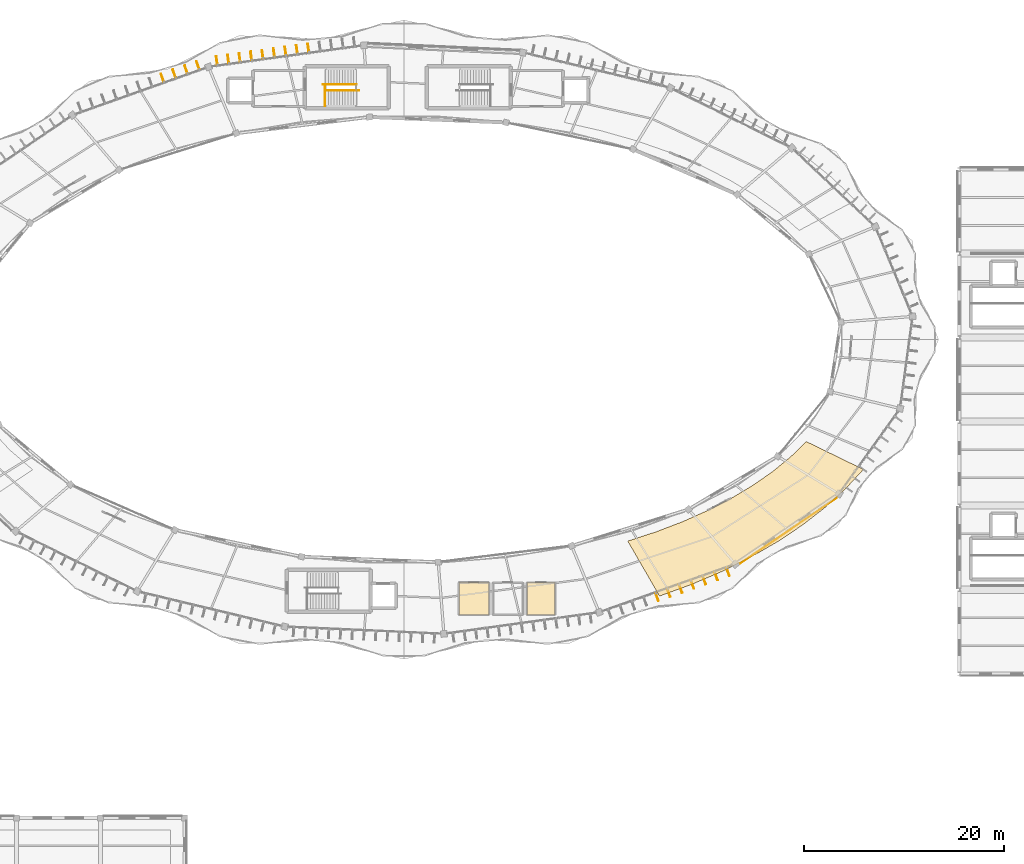
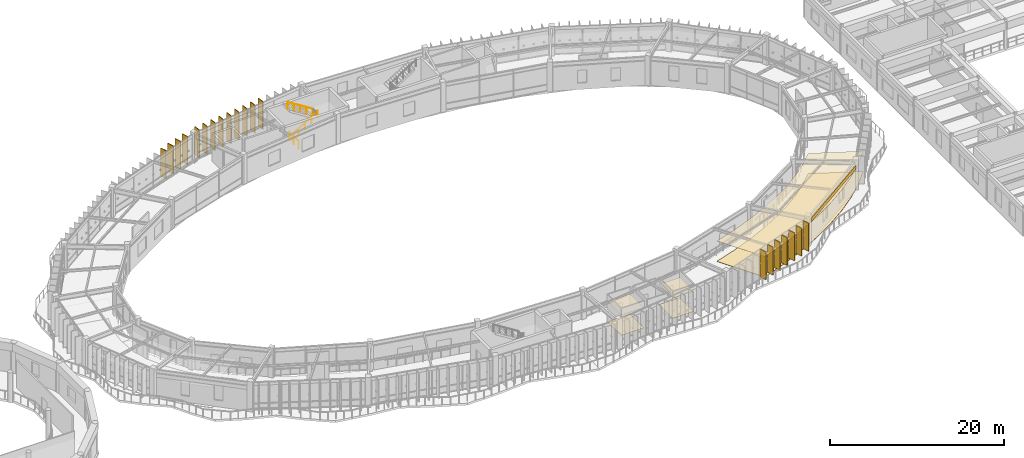
# One storey, part 111 of 114: 20 shading devices, 7 coverings, 3 railings.
"""IFC4 building model written with IfcOpenShell, lengths in metres."""

from ifc_helpers import new_model, si_unit, direction, frame, origin, origin_2d, place, context, subcontext, project, spatial, polyline, rectangle, circle, outline, extrude, material, layer, layer_set, type_object, element, save


model = new_model("IFC4")

# Units and contexts
model_context = context("Model", 3, precision=1e-05, world=origin(), true_north=direction((0.0, 1.0)))
body_context = subcontext(model_context, "Body", "Model", "MODEL_VIEW")
ifc_project = project(units=[si_unit("LENGTHUNIT", "METRE"), si_unit("AREAUNIT", "SQUARE_METRE"), si_unit("VOLUMEUNIT", "CUBIC_METRE"), si_unit("PLANEANGLEUNIT", "RADIAN"), si_unit("MASSUNIT", "GRAM", prefix="KILO"), si_unit("THERMODYNAMICTEMPERATUREUNIT", "KELVIN"), si_unit("POWERUNIT", "WATT")], contexts=[model_context])

# Site, building, storey
site_placement = place(None, origin())
site = spatial("IfcSite", under=ifc_project, at=site_placement, CompositionType="ELEMENT")
building_placement = place(site_placement, origin())
building = spatial("IfcBuilding", under=site, at=building_placement, Name="Darbajah Civic Hall", CompositionType="ELEMENT")
storey_placement = place(building_placement, frame((0.0, 0.0, 13.800048828125)))
storey = spatial("IfcBuildingStorey", under=building, at=storey_placement, Name="L03", CompositionType="ELEMENT", Elevation=13.800048828125)

# Railings
ifc_material_1 = material(Name="Brushed Bronze Stainless Steel", Category="steel")
railing_type_1 = type_object("IfcRailingType", Name="Brushed Bronze Handrail", PredefinedType="HANDRAIL", material=ifc_material_1)
railing_1_placement = place(storey_placement, frame((81.280029296875, 114.699951171875, 0.175048828125)))
element("IfcRailing", 1, at=railing_1_placement, inside=storey, type_object=railing_type_1, Name="ST01 L03 lower flight handrail", PredefinedType="HANDRAIL", context=body_context, shape_type="SweptSolid", body=[
    extrude(circle(Radius=0.02392578125, at=origin_2d()), frame((0.023193359375, 0.0, 0.910400390625), z_axis=(0.845954538342, 0.0, 0.533255022534), x_axis=(0.0, 1.0, 0.0)), (0.0, 0.0, 1.0), 3.9169921875),
    extrude(circle(Radius=0.02099609375, at=origin_2d()), origin(), (0.0, 0.0, 1.0), 0.867919921875),
    extrude(circle(Radius=0.02099609375, at=origin_2d()), frame((0.83984375, 0.0, 0.529541015625)), (0.0, 0.0, 1.0), 0.867919921875),
    extrude(circle(Radius=0.02099609375, at=origin_2d()), frame((1.679931640625, 0.0, 1.05908203125)), (0.0, 0.0, 1.0), 0.867919921875),
    extrude(circle(Radius=0.02099609375, at=origin_2d()), frame((2.52001953125, 0.0, 1.58837890625)), (0.0, 0.0, 1.0), 0.867919921875),
    extrude(circle(Radius=0.02099609375, at=origin_2d()), frame((3.35986328125, 0.0, 2.117919921875)), (0.0, 0.0, 1.0), 0.867919921875),
])
railing_2_placement = place(storey_placement, frame((84.360107421875, 115.300048828125, 2.27490234375)))
element("IfcRailing", 2, at=railing_2_placement, inside=storey, type_object=railing_type_1, Name="ST01 L03 upper flight handrail", PredefinedType="HANDRAIL", context=body_context, shape_type="SweptSolid", body=[
    extrude(circle(Radius=0.02392578125, at=origin_2d()), frame((-0.023193359375, 0.0, 0.910400390625), z_axis=(-0.845944288966, 0.0, 0.533271281775), x_axis=(0.0, -1.0, 0.0)), (0.0, 0.0, 1.0), 3.91748046875),
    extrude(circle(Radius=0.02099609375, at=origin_2d()), origin(), (0.0, 0.0, 1.0), 0.867919921875),
    extrude(circle(Radius=0.02099609375, at=origin_2d()), frame((-0.840087890625, 0.0, 0.529541015625)), (0.0, 0.0, 1.0), 0.867919921875),
    extrude(circle(Radius=0.02099609375, at=origin_2d()), frame((-1.68017578125, 0.0, 1.05908203125)), (0.0, 0.0, 1.0), 0.867919921875),
    extrude(circle(Radius=0.02099609375, at=origin_2d()), frame((-2.52001953125, 0.0, 1.588623046875)), (0.0, 0.0, 1.0), 0.867919921875),
    extrude(circle(Radius=0.02099609375, at=origin_2d()), frame((-3.360107421875, 0.0, 2.1181640625)), (0.0, 0.0, 1.0), 0.867919921875),
])

# Coverings
ifc_material_2 = material(Name="Honed Qatari Limestone Terrazzo", Category="masonry")
ifc_layer_1 = layer(ifc_material_2, 0.030029296875, Name="Honed Qatari Limestone Terrazzo")
ifc_layer_set_1 = layer_set([ifc_layer_1], Name="Honed Qatari Limestone Terrazzo")
covering_type_1 = type_object("IfcCoveringType", Name="Honed Qatari Limestone Terrazzo Flooring", PredefinedType="FLOORING", material=ifc_layer_set_1)
covering_1_placement = place(storey_placement, origin())
element("IfcCovering", 3, at=covering_1_placement, inside=storey, type_object=covering_type_1, Name="L03 stone terrazzo flooring L03-V1-01", PredefinedType="FLOORING", context=body_context, shape_type="SweptSolid", body=[
    extrude(outline(polyline([(114.64990234375, 64.16552734375), (117.859375, 65.3330078125), (120.910400390625, 66.634765625), (123.78662109375, 68.064208984375), (126.47216796875, 69.61279296875), (128.9521484375, 71.272705078125), (131.212890625, 73.034423828125), (133.241943359375, 74.88818359375), (135.0283203125, 76.82421875), (129.321044921875, 79.60791015625), (127.756591796875, 78.08740234375), (125.9794921875, 76.631103515625), (123.999755859375, 75.247314453125), (121.828125, 73.943603515625), (119.476318359375, 72.72705078125), (116.95751953125, 71.6044921875), (114.285400390625, 70.581787109375), (111.47509765625, 69.664794921875), (114.64990234375, 64.16552734375)])), origin(), (0.0, 0.0, 1.0), 0.030029296875),
])
covering_2_placement = place(storey_placement, origin())
element("IfcCovering", 4, at=covering_2_placement, inside=storey, type_object=covering_type_1, Name="L03 stone terrazzo flooring L03-WCM", PredefinedType="FLOORING", context=body_context, shape_type="SweptSolid", body=[
    extrude(outline(polyline([(94.60009765625, 62.300048828125), (97.60009765625, 62.300048828125), (97.60009765625, 65.5), (94.60009765625, 65.5), (94.60009765625, 62.300048828125)])), origin(), (0.0, 0.0, 1.0), 0.030029296875),
])
covering_3_placement = place(storey_placement, origin())
element("IfcCovering", 5, at=covering_3_placement, inside=storey, type_object=covering_type_1, Name="L03 stone terrazzo flooring L03-WCA", PredefinedType="FLOORING", context=body_context, shape_type="SweptSolid", body=[
    extrude(outline(polyline([(101.39990234375, 62.300048828125), (104.199951171875, 62.300048828125), (104.199951171875, 65.5), (101.39990234375, 65.5), (101.39990234375, 62.300048828125)])), origin(), (0.0, 0.0, 1.0), 0.030029296875),
])

# Railing
ifc_material_3 = material(Name="Brushed Bronze and Laminated Safety Glass", Category="glass")
railing_type_2 = type_object("IfcRailingType", Name="Interior Guard Balustrade", PredefinedType="BALUSTRADE", material=ifc_material_3)
railing_3_placement = place(storey_placement, frame((81.22998046875, 113.14990234375, 0.0)))
element("IfcRailing", 6, at=railing_3_placement, inside=storey, type_object=railing_type_2, Name="ST01 L03 stair-well edge guard", PredefinedType="BALUSTRADE", context=body_context, shape_type="SweptSolid", body=[
    extrude(circle(Radius=0.02392578125, at=origin_2d()), frame((0.0, 0.02734375, 1.09619140625), z_axis=(0.0, 1.0, 0.0), x_axis=(-1.0, 0.0, 0.0)), (0.0, 0.0, 1.0), 2.095458984375),
    extrude(circle(Radius=0.02099609375, at=origin_2d()), origin(), (0.0, 0.0, 1.0), 1.068115234375),
    extrude(circle(Radius=0.02099609375, at=origin_2d()), frame((0.0, 1.0751953125, 0.0)), (0.0, 0.0, 1.0), 1.068115234375),
    extrude(circle(Radius=0.02099609375, at=origin_2d()), frame((0.0, 2.150146484375, 0.0)), (0.0, 0.0, 1.0), 1.068115234375),
])

# Coverings
ifc_material_4 = material(Name="Qatari Desert Limestone Ashlar", Category="masonry")
ifc_layer_2 = layer(ifc_material_4, 0.044921875, Name="Qatari Desert Limestone Ashlar")
ifc_layer_set_2 = layer_set([ifc_layer_2], Name="Qatari Desert Limestone Ashlar")
covering_type_2 = type_object("IfcCoveringType", Name="Limestone Facade Cladding", PredefinedType="CLADDING", material=ifc_layer_set_2)
covering_4_placement = place(storey_placement, frame((0.0, 0.0, 3.02001953125)))
element("IfcCovering", 7, at=covering_4_placement, inside=storey, type_object=covering_type_2, Name="L03 stone frieze cladding EW-V1O-L03-17", PredefinedType="CLADDING", context=body_context, shape_type="SweptSolid", body=[
    extrude(outline(polyline([(122.638916015625, 67.396484375), (132.344482421875, 73.969970703125), (132.36962890625, 73.932861328125), (122.6640625, 67.359375), (122.638916015625, 67.396484375)])), origin(), (0.0, 0.0, 1.0), 0.5),
])
ifc_material_5 = material(Name="Perforated Acoustic Gypsum Board")
ifc_layer_3 = layer(ifc_material_5, 0.02490234375, Name="Perforated Acoustic Gypsum Board")
ifc_layer_set_3 = layer_set([ifc_layer_3], Name="Perforated Acoustic Gypsum Board")
covering_type_3 = type_object("IfcCoveringType", Name="Perforated Acoustic Gypsum Ceiling", PredefinedType="CEILING", material=ifc_layer_set_3)
covering_5_placement = place(storey_placement, frame((0.0, 0.0, 2.849853515625)))
element("IfcCovering", 8, at=covering_5_placement, inside=storey, type_object=covering_type_3, Name="L03 acoustic suspended ceiling L03-V1-01", PredefinedType="CEILING", context=body_context, shape_type="SweptSolid", body=[
    extrude(outline(polyline([(114.64990234375, 64.16552734375), (117.859375, 65.3330078125), (120.910400390625, 66.634765625), (123.78662109375, 68.064208984375), (126.47216796875, 69.61279296875), (128.9521484375, 71.272705078125), (131.212890625, 73.034423828125), (133.241943359375, 74.88818359375), (135.0283203125, 76.82421875), (129.321044921875, 79.60791015625), (127.756591796875, 78.08740234375), (125.9794921875, 76.631103515625), (123.999755859375, 75.247314453125), (121.828125, 73.943603515625), (119.476318359375, 72.72705078125), (116.95751953125, 71.6044921875), (114.285400390625, 70.581787109375), (111.47509765625, 69.664794921875), (114.64990234375, 64.16552734375)])), origin(), (0.0, 0.0, 1.0), 0.025146484375),
])
covering_6_placement = place(storey_placement, frame((0.0, 0.0, 2.849853515625)))
element("IfcCovering", 9, at=covering_6_placement, inside=storey, type_object=covering_type_3, Name="L03 acoustic suspended ceiling L03-WCM", PredefinedType="CEILING", context=body_context, shape_type="SweptSolid", body=[
    extrude(outline(polyline([(94.60009765625, 62.300048828125), (97.60009765625, 62.300048828125), (97.60009765625, 65.5), (94.60009765625, 65.5), (94.60009765625, 62.300048828125)])), origin(), (0.0, 0.0, 1.0), 0.025146484375),
])
covering_7_placement = place(storey_placement, frame((0.0, 0.0, 2.849853515625)))
element("IfcCovering", 10, at=covering_7_placement, inside=storey, type_object=covering_type_3, Name="L03 acoustic suspended ceiling L03-WCA", PredefinedType="CEILING", context=body_context, shape_type="SweptSolid", body=[
    extrude(outline(polyline([(101.39990234375, 62.300048828125), (104.199951171875, 62.300048828125), (104.199951171875, 65.5), (101.39990234375, 65.5), (101.39990234375, 62.300048828125)])), origin(), (0.0, 0.0, 1.0), 0.025146484375),
])

# Shading devices
ifc_material_6 = material(Name="Bronze Anodised Aluminium and Teak Composite", Category="aluminium")
shading_device_type = type_object("IfcShadingDeviceType", Name="Vertical Bronze Timber Shading Fin", PredefinedType="USERDEFINED", material=ifc_material_6)
for number, where, z_axis, x_axis, name in (
    (11, (79.557373046875, 118.95947265625, 0.0), (0.0, 0.0, 1.0), (-0.137617420457, 0.990485459553, 0.0), "L03 vertical shading fin VF-05-5"),
    (12, (78.413818359375, 118.80078125, 0.0), (0.0, 0.0, 1.0), (-0.137617420457, 0.990485459553, 0.0), "L03 vertical shading fin VF-05-6"),
    (13, (77.27001953125, 118.641845703125, 0.0), (0.0, 0.0, 1.0), (-0.137617420457, 0.990485459553, 0.0), "L03 vertical shading fin VF-05-7"),
    (14, (76.126220703125, 118.48291015625, 0.0), (0.0, 0.0, 1.0), (-0.137617420457, 0.990485459553, 0.0), "L03 vertical shading fin VF-05-8"),
    (15, (74.985595703125, 118.302734375, 0.0), (0.0, 0.0, 1.0), (-0.137617420457, 0.990485459553, 0.0), "L03 vertical shading fin VF-05-9"),
    (16, (73.839111328125, 118.165283203125, 0.0), (0.0, 0.0, 1.0), (-0.137617420457, 0.990485459553, 0.0), "L03 vertical shading fin VF-05-10"),
    (17, (72.6953125, 118.006591796875, 0.0), (0.0, 0.0, 1.0), (-0.137617420457, 0.990485459553, 0.0), "L03 vertical shading fin VF-05-11"),
    (18, (71.5517578125, 117.84765625, 0.0), (0.0, 0.0, 1.0), (-0.137617420457, 0.990485459553, 0.0), "L03 vertical shading fin VF-05-12"),
    (19, (70.407958984375, 117.68896484375, 0.0), (0.0, 0.0, 1.0), (-0.137617420457, 0.990485459553, 0.0), "L03 vertical shading fin VF-05-13"),
    (20, (68.512451171875, 117.22119140625, 0.0), (0.0, 0.0, 1.0), (-0.334135882844, 0.94252491309, 0.0), "L03 vertical shading fin VF-06-1"),
    (21, (67.331787109375, 116.802734375, 0.0), (0.0, 0.0, 1.0), (-0.334135882844, 0.94252491309, 0.0), "L03 vertical shading fin VF-06-2"),
    (22, (66.15087890625, 116.38427734375, 0.0), (0.0, 0.0, 1.0), (-0.334135882844, 0.94252491309, 0.0), "L03 vertical shading fin VF-06-3"),
    (23, (64.97021484375, 115.9658203125, 0.0), (0.0, 0.0, 1.0), (-0.334135882844, 0.94252491309, 0.0), "L03 vertical shading fin VF-06-4"),
    (24, (114.402587890625, 64.075927734375, 0.0), (0.0, 0.0, 1.0), (0.334135882844, -0.94252491309, 0.0), "L03 vertical shading fin VF-16-5"),
    (25, (115.591552734375, 64.471435546875, 0.0), (0.0, 0.0, 1.0), (0.334135882844, -0.94252491309, 0.0), "L03 vertical shading fin VF-16-6"),
    (26, (116.772216796875, 64.889892578125, 0.0), (0.0, 0.0, 1.0), (0.334135882844, -0.94252491309, 0.0), "L03 vertical shading fin VF-16-7"),
    (27, (117.952880859375, 65.30859375, 0.0), (0.0, 0.0, 1.0), (0.334135882844, -0.94252491309, 0.0), "L03 vertical shading fin VF-16-8"),
    (28, (119.1337890625, 65.72705078125, 0.0), (0.0, 0.0, 1.0), (0.334135882844, -0.94252491309, 0.0), "L03 vertical shading fin VF-16-9"),
    (29, (120.314697265625, 66.1455078125, 0.0), (0.0, 0.0, 1.0), (0.334135882844, -0.94252491309, 0.0), "L03 vertical shading fin VF-16-10"),
    (30, (121.495361328125, 66.564208984375, 0.0), (0.0, 0.0, 1.0), (0.334135882844, -0.94252491309, 0.0), "L03 vertical shading fin VF-16-11"),
):
    element("IfcShadingDevice", number, at=place(storey_placement, frame(where, z_axis=z_axis, x_axis=x_axis)), inside=storey, type_object=shading_device_type, Name=name, ObjectType="VERTICAL FIN", PredefinedType="USERDEFINED", context=body_context, shape_type="SweptSolid", body=[
        extrude(rectangle(XDim=0.85009765625, YDim=0.090087890625, at=origin_2d()), origin(), (0.0, 0.0, 1.0), 3.919921875),
    ])

save(model, "model.ifc")
